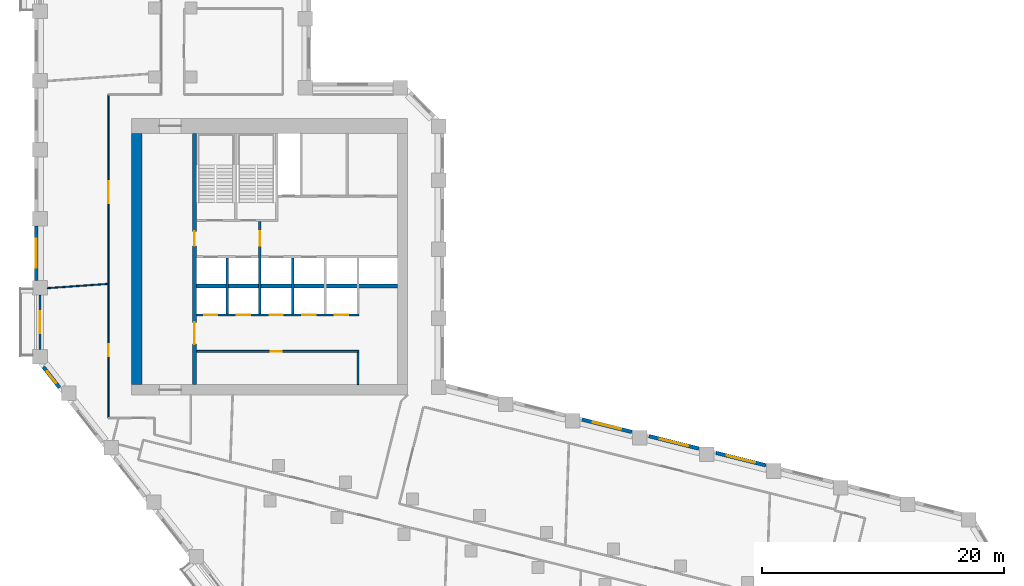
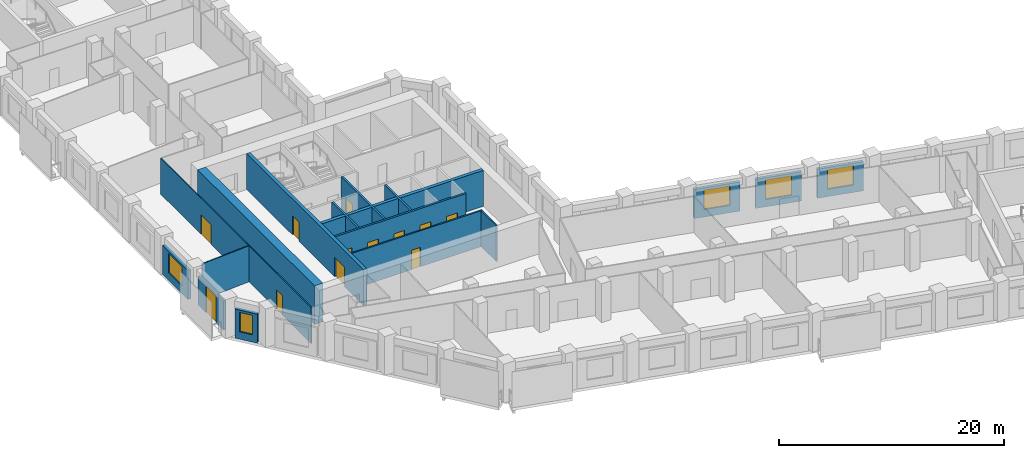
# One storey, part 4 of 10: 17 walls, 12 doors, 5 windows, 17 openings.
"""IFC4 building model written with IfcOpenShell, lengths in metres."""

from ifc_helpers import new_model, si_unit, direction, frame, frame_2d, origin, place, context, subcontext, project, spatial, rectangle, extrude, material, layer, layer_set, type_object, element, fill, save


model = new_model("IFC4")

# Units and contexts
model_context = context("Model", 3, precision=1e-05, world=origin(), true_north=direction((0.0, 1.0)))
body_context = subcontext(model_context, "Body", "Model", "MODEL_VIEW")
ifc_project = project(units=[si_unit("LENGTHUNIT", "METRE"), si_unit("AREAUNIT", "SQUARE_METRE"), si_unit("VOLUMEUNIT", "CUBIC_METRE"), si_unit("PLANEANGLEUNIT", "RADIAN"), si_unit("MASSUNIT", "GRAM", prefix="KILO")], contexts=[model_context])

# Site, building, storey
site_placement = place(None, origin())
site = spatial("IfcSite", under=ifc_project, at=site_placement, CompositionType="ELEMENT")
building_placement = place(site_placement, origin())
building = spatial("IfcBuilding", under=site, at=building_placement, Name="Meshkara Civic Tower", CompositionType="ELEMENT")
storey_placement = place(building_placement, frame((0.0, 0.0, 169.800048828125)))
storey = spatial("IfcBuildingStorey", under=building, at=storey_placement, Name="L38", CompositionType="ELEMENT", Elevation=169.800048828125)

# Wall, opening, door
ifc_material_1 = material(Name="Blockwork", Category="masonry")
ifc_layer_1 = layer(ifc_material_1, 0.14990234375)
ifc_layer_set_1 = layer_set([ifc_layer_1], Name="Core partition 150")
wall_type_1 = type_object("IfcWallType", Name="Core partition 150", PredefinedType="PARTITIONING", material=ifc_layer_set_1)
wall_1_placement = place(storey_placement, frame((13.3701171875, 17.699951171875, 0.0), z_axis=(0.0, 0.0, 1.0), x_axis=(1.0, 0.0, 0.0)))
wall_1 = element("IfcWall", 1, at=wall_1_placement, inside=storey, type_object=wall_type_1, Name="L38-C005", PredefinedType="PARTITIONING", context=body_context, shape_type="SweptSolid", body=[
    extrude(rectangle(XDim=13.40478515625, YDim=0.14990234375, at=frame_2d((6.702392578125, 0.0))), origin(), (0.0, 0.0, 1.0), 3.89990234375),
])
opening_1_placement = place(wall_1_placement, frame((6.1298828125, 0.0, 0.0)))
opening_1 = element("IfcOpeningElement", 2, at=opening_1_placement, cuts=wall_1, Name="Opening L38-K010", PredefinedType="OPENING", context=body_context, shape_type="SweptSolid", body=[
    extrude(rectangle(XDim=0.89990234375, YDim=2.10009765625, at=frame_2d((0.449951171875, 1.050048828125))), frame((0.0, 0.0849609375, 0.0), z_axis=(0.0, -1.0, 0.0), x_axis=(1.0, 0.0, 0.0)), (0.0, 0.0, 1.0), 0.169921875),
])
ifc_material_2 = material(Name="Timber door leaf in steel frame", Category="steel")
door_type_1 = type_object("IfcDoorType", Name="Core room door 900", OperationType="SINGLE_SWING_LEFT", PredefinedType="DOOR", material=ifc_material_2)
door_1_placement = place(opening_1_placement, origin())
door_1 = element("IfcDoor", 3, at=door_1_placement, inside=storey, type_object=door_type_1, Name="L38-K010", OperationType="SINGLE_SWING_LEFT", OverallHeight=2.10009765625, OverallWidth=0.89990234375, PredefinedType="DOOR", context=body_context, shape_type="SweptSolid", body=[
    extrude(rectangle(XDim=0.89990234375, YDim=2.10009765625, at=frame_2d((0.449951171875, 1.050048828125))), frame((0.0, 0.02490234375, 0.0), z_axis=(0.0, -1.0, 0.0), x_axis=(1.0, 0.0, 0.0)), (0.0, 0.0, 1.0), 0.050048828125),
])
fill(opening_1, door_1)

# Walls
wall_2_placement = place(storey_placement, frame((26.699951171875, 14.949951171875, 0.0), z_axis=(0.0, 0.0, 1.0), x_axis=(0.0, 1.0, 0.0)))
element("IfcWall", 4, at=wall_2_placement, inside=storey, type_object=wall_type_1, Name="L38-C020", PredefinedType="PARTITIONING", context=body_context, shape_type="SweptSolid", body=[
    extrude(rectangle(XDim=2.675048828125, YDim=0.14990234375, at=frame_2d((1.33740234375, 0.0))), origin(), (0.0, 0.0, 1.0), 3.89990234375),
])
ifc_material_3 = material(Name="Concrete C70", Category="concrete")
ifc_layer_2 = layer(ifc_material_3, 0.85009765625)
ifc_layer_set_2 = layer_set([ifc_layer_2], Name="Core ring wall 850 C70")
wall_type_2 = type_object("IfcWallType", Name="Core ring wall 850 C70", PredefinedType="SHEAR", material=ifc_layer_set_2)
wall_3_placement = place(storey_placement, frame((8.425048828125, 14.949951171875, -0.300048828125), z_axis=(0.0, 0.0, 1.0), x_axis=(0.0, 1.0, 0.0)))
element("IfcWall", 5, at=wall_3_placement, inside=storey, type_object=wall_type_2, Name="L38-C003", PredefinedType="SHEAR", context=body_context, shape_type="SweptSolid", body=[
    extrude(rectangle(XDim=20.75, YDim=0.85009765625, at=frame_2d((10.375, 0.0))), origin(), (0.0, 0.0, 1.0), 4.199951171875),
])
ifc_material_4 = material(Name="Concrete C70", Category="concrete")
ifc_layer_3 = layer(ifc_material_4, 0.340087890625)
ifc_layer_set_3 = layer_set([ifc_layer_3], Name="Core shear wall 340 C70")
wall_type_3 = type_object("IfcWallType", Name="Core shear wall 340 C70", PredefinedType="SHEAR", material=ifc_layer_set_3)
wall_4_placement = place(storey_placement, frame((13.3701171875, 23.10009765625, 0.0), z_axis=(0.0, 0.0, 1.0), x_axis=(1.0, 0.0, 0.0)))
element("IfcWall", 6, at=wall_4_placement, inside=storey, type_object=wall_type_3, Name="L38-C007", PredefinedType="SHEAR", context=body_context, shape_type="SweptSolid", body=[
    extrude(rectangle(XDim=16.579833984375, YDim=0.340087890625, at=frame_2d((8.2900390625, 0.0))), origin(), (0.0, 0.0, 1.0), 3.89990234375),
])

# Wall, openings, doors
wall_5_placement = place(storey_placement, frame((13.199951171875, 14.949951171875, 0.0), z_axis=(0.0, 0.0, 1.0), x_axis=(0.0, 1.0, 0.0)))
wall_5 = element("IfcWall", 7, at=wall_5_placement, inside=storey, type_object=wall_type_3, Name="L38-C011", PredefinedType="SHEAR", context=body_context, shape_type="SweptSolid", body=[
    extrude(rectangle(XDim=20.75, YDim=0.340087890625, at=frame_2d((10.375, 0.0))), origin(), (0.0, 0.0, 1.0), 3.89990234375),
])
opening_2_placement = place(wall_5_placement, frame((3.35009765625, 0.0, 0.0)))
opening_2 = element("IfcOpeningElement", 8, at=opening_2_placement, cuts=wall_5, Name="Opening L38-K016", PredefinedType="OPENING", context=body_context, shape_type="SweptSolid", body=[
    extrude(rectangle(XDim=1.800048828125, YDim=2.10009765625, at=frame_2d((0.89990234375, 1.050048828125))), frame((0.0, 0.179931640625, 0.0), z_axis=(0.0, -1.0, 0.0), x_axis=(1.0, 0.0, 0.0)), (0.0, 0.0, 1.0), 0.360107421875),
])
opening_3_placement = place(wall_5_placement, frame((11.449951171875, 0.0, 0.0)))
opening_3 = element("IfcOpeningElement", 9, at=opening_3_placement, cuts=wall_5, Name="Opening L38-K017", PredefinedType="OPENING", context=body_context, shape_type="SweptSolid", body=[
    extrude(rectangle(XDim=1.199951171875, YDim=2.10009765625, at=frame_2d((0.60009765625, 1.050048828125))), frame((0.0, 0.179931640625, 0.0), z_axis=(0.0, -1.0, 0.0), x_axis=(1.0, 0.0, 0.0)), (0.0, 0.0, 1.0), 0.360107421875),
])
ifc_material_5 = material(Name="Fire-rated door leaf in steel frame", Category="steel")
door_type_2 = type_object("IfcDoorType", Name="Core double door 1800 EI 60", OperationType="DOUBLE_DOOR_SINGLE_SWING", PredefinedType="DOOR", material=ifc_material_5)
door_2_placement = place(opening_2_placement, origin())
door_2 = element("IfcDoor", 10, at=door_2_placement, inside=storey, type_object=door_type_2, Name="L38-K016", OperationType="DOUBLE_DOOR_SINGLE_SWING", OverallHeight=2.10009765625, OverallWidth=1.800048828125, PredefinedType="DOOR", context=body_context, shape_type="SweptSolid", body=[
    extrude(rectangle(XDim=1.800048828125, YDim=2.10009765625, at=frame_2d((0.89990234375, 1.050048828125))), frame((0.0, 0.02490234375, 0.0), z_axis=(0.0, -1.0, 0.0), x_axis=(1.0, 0.0, 0.0)), (0.0, 0.0, 1.0), 0.050048828125),
])
fill(opening_2, door_2)
ifc_material_6 = material(Name="Fire-rated door leaf in steel frame", Category="steel")
door_type_3 = type_object("IfcDoorType", Name="Fire-fighting lobby door 1200 EI 120", OperationType="SINGLE_SWING_LEFT", PredefinedType="DOOR", material=ifc_material_6)
door_3_placement = place(opening_3_placement, origin())
door_3 = element("IfcDoor", 11, at=door_3_placement, inside=storey, type_object=door_type_3, Name="L38-K017", OperationType="SINGLE_SWING_LEFT", OverallHeight=2.10009765625, OverallWidth=1.199951171875, PredefinedType="DOOR", context=body_context, shape_type="SweptSolid", body=[
    extrude(rectangle(XDim=1.199951171875, YDim=2.10009765625, at=frame_2d((0.60009765625, 1.050048828125))), frame((0.0, 0.02490234375, 0.0), z_axis=(0.0, -1.0, 0.0), x_axis=(1.0, 0.0, 0.0)), (0.0, 0.0, 1.0), 0.050048828125),
])
fill(opening_3, door_3)

ifc_material_7 = material(Name="Corridor wall 100")
ifc_layer_4 = layer(ifc_material_7, 0.10009765625)
ifc_layer_set_4 = layer_set([ifc_layer_4], Name="Corridor wall 100")
wall_type_4 = type_object("IfcWallType", Name="Corridor wall 100", PredefinedType="PARTITIONING", material=ifc_layer_set_4)
wall_6_placement = place(storey_placement, frame((6.10009765625, 38.89990234375, 0.0), z_axis=(0.0, 0.0, 1.0), x_axis=(0.0, -1.0, 0.0)))
wall_6 = element("IfcWall", 12, at=wall_6_placement, inside=storey, type_object=wall_type_4, Name="L38-W005", PredefinedType="PARTITIONING", context=body_context, shape_type="SweptSolid", body=[
    extrude(rectangle(XDim=26.699951171875, YDim=0.10009765625, at=frame_2d((13.35009765625, 0.0))), origin(), (0.0, 0.0, 1.0), 3.89990234375),
])
opening_4_placement = place(wall_6_placement, frame((20.610107421875, 0.0, 0.0)))
opening_4 = element("IfcOpeningElement", 13, at=opening_4_placement, cuts=wall_6, Name="Opening L38-D014", PredefinedType="OPENING", context=body_context, shape_type="SweptSolid", body=[
    extrude(rectangle(XDim=1.0, YDim=2.10009765625, at=frame_2d((0.5, 1.050048828125))), frame((0.0, 0.06005859375, 0.0), z_axis=(0.0, -1.0, 0.0), x_axis=(1.0, 0.0, 0.0)), (0.0, 0.0, 1.0), 0.1201171875),
])
opening_5_placement = place(wall_6_placement, frame((7.179931640625, 0.0, 0.0)))
opening_5 = element("IfcOpeningElement", 14, at=opening_5_placement, cuts=wall_6, Name="Opening L38-D016", PredefinedType="OPENING", context=body_context, shape_type="SweptSolid", body=[
    extrude(rectangle(XDim=1.800048828125, YDim=2.10009765625, at=frame_2d((0.89990234375, 1.050048828125))), frame((0.0, 0.06005859375, 0.0), z_axis=(0.0, -1.0, 0.0), x_axis=(1.0, 0.0, 0.0)), (0.0, 0.0, 1.0), 0.1201171875),
])
ifc_material_8 = material(Name="Door 1000 x 2100")
door_type_4 = type_object("IfcDoorType", Name="Door 1000 x 2100", OperationType="SINGLE_SWING_LEFT", PredefinedType="DOOR", material=ifc_material_8)
door_4_placement = place(opening_4_placement, origin())
door_4 = element("IfcDoor", 15, at=door_4_placement, inside=storey, type_object=door_type_4, Name="L38-D014", OperationType="SINGLE_SWING_RIGHT", OverallHeight=2.10009765625, OverallWidth=1.0, PredefinedType="DOOR", context=body_context, shape_type="SweptSolid", body=[
    extrude(rectangle(XDim=1.0, YDim=2.10009765625, at=frame_2d((0.5, 1.050048828125))), frame((0.0, 0.02490234375, 0.0), z_axis=(0.0, -1.0, 0.0), x_axis=(1.0, 0.0, 0.0)), (0.0, 0.0, 1.0), 0.050048828125),
])
fill(opening_4, door_4)
ifc_material_9 = material(Name="Door pair 1800 x 2100")
door_type_5 = type_object("IfcDoorType", Name="Door pair 1800 x 2100", OperationType="SINGLE_SWING_LEFT", PredefinedType="DOOR", material=ifc_material_9)
door_5_placement = place(opening_5_placement, origin())
door_5 = element("IfcDoor", 16, at=door_5_placement, inside=storey, type_object=door_type_5, Name="L38-D016", OperationType="DOUBLE_DOOR_SINGLE_SWING", OverallHeight=2.10009765625, OverallWidth=1.800048828125, PredefinedType="DOOR", context=body_context, shape_type="SweptSolid", body=[
    extrude(rectangle(XDim=1.800048828125, YDim=2.10009765625, at=frame_2d((0.89990234375, 1.050048828125))), frame((0.0, 0.02490234375, 0.0), z_axis=(0.0, -1.0, 0.0), x_axis=(1.0, 0.0, 0.0)), (0.0, 0.0, 1.0), 0.050048828125),
])
fill(opening_5, door_5)

# Wall, opening, window
ifc_material_10 = material(Name="Insulated infill panel with bronze anodised aluminium cladding", Category="aluminium")
ifc_layer_5 = layer(ifc_material_10, 0.300048828125)
ifc_layer_set_5 = layer_set([ifc_layer_5], Name="EXTERNAL INFILL WALL 300")
wall_type_5 = type_object("IfcWallType", Name="EXTERNAL INFILL WALL 300", PredefinedType="SOLIDWALL", material=ifc_layer_set_5)
wall_7_placement = place(storey_placement, frame((60.3701171875, 8.291015625, 0.0), z_axis=(0.0, 0.0, 1.0), x_axis=(-0.970291164166, 0.241940192487, 0.0)))
wall_7 = element("IfcWall", 17, at=wall_7_placement, inside=storey, type_object=wall_type_5, Name="External wall", PredefinedType="SOLIDWALL", context=body_context, shape_type="SweptSolid", body=[
    extrude(rectangle(XDim=4.245361328125, YDim=0.300048828125, at=frame_2d((2.12255859375, 0.0))), origin(), (0.0, 0.0, 1.0), 3.14990234375),
])
opening_6_placement = place(wall_7_placement, frame((0.922119140625, 0.0, 0.800048828125)))
opening_6 = element("IfcOpeningElement", 18, at=opening_6_placement, cuts=wall_7, Name="Opening W7", PredefinedType="OPENING", context=body_context, shape_type="SweptSolid", body=[
    extrude(rectangle(XDim=2.39990234375, YDim=2.10009765625, at=frame_2d((1.199951171875, 1.050048828125))), frame((0.0, 0.159912109375, 0.0), z_axis=(0.0, -1.0, 0.0), x_axis=(1.0, 0.0, 0.0)), (0.0, 0.0, 1.0), 0.320068359375),
])
ifc_material_11 = material(Name="Tinted double glazing", Category="glass")
window_type_1 = type_object("IfcWindowType", Name="WINDOW 2400x2100", PartitioningType="DOUBLE_PANEL_VERTICAL", PredefinedType="WINDOW", material=ifc_material_11)
window_1_placement = place(opening_6_placement, origin())
window_1 = element("IfcWindow", 19, at=window_1_placement, inside=storey, type_object=window_type_1, Name="Window", OverallHeight=2.10009765625, OverallWidth=2.39990234375, PartitioningType="DOUBLE_PANEL_VERTICAL", PredefinedType="WINDOW", context=body_context, shape_type="SweptSolid", body=[
    extrude(rectangle(XDim=2.39990234375, YDim=2.10009765625, at=frame_2d((1.199951171875, 1.050048828125))), frame((0.0, 0.030029296875, 0.0), z_axis=(0.0, -1.0, 0.0), x_axis=(1.0, 0.0, 0.0)), (0.0, 0.0, 1.0), 0.06005859375),
])
fill(opening_6, window_1)

wall_8_placement = place(storey_placement, frame((54.840087890625, 9.669921875, 0.0), z_axis=(0.0, 0.0, 1.0), x_axis=(-0.97030462482, 0.241886202691, 0.0)))
wall_8 = element("IfcWall", 20, at=wall_8_placement, inside=storey, type_object=wall_type_5, Name="External wall", PredefinedType="SOLIDWALL", context=body_context, shape_type="SweptSolid", body=[
    extrude(rectangle(XDim=4.24609375, YDim=0.300048828125, at=frame_2d((2.123046875, 0.0))), origin(), (0.0, 0.0, 1.0), 3.14990234375),
])
opening_7_placement = place(wall_8_placement, frame((0.923095703125, 0.0, 0.800048828125)))
opening_7 = element("IfcOpeningElement", 21, at=opening_7_placement, cuts=wall_8, Name="Opening W7", PredefinedType="OPENING", context=body_context, shape_type="SweptSolid", body=[
    extrude(rectangle(XDim=2.39990234375, YDim=2.10009765625, at=frame_2d((1.199951171875, 1.050048828125))), frame((0.0, 0.159912109375, 0.0), z_axis=(0.0, -1.0, 0.0), x_axis=(1.0, 0.0, 0.0)), (0.0, 0.0, 1.0), 0.320068359375),
])
window_2_placement = place(opening_7_placement, origin())
window_2 = element("IfcWindow", 22, at=window_2_placement, inside=storey, type_object=window_type_1, Name="Window", OverallHeight=2.10009765625, OverallWidth=2.39990234375, PartitioningType="DOUBLE_PANEL_VERTICAL", PredefinedType="WINDOW", context=body_context, shape_type="SweptSolid", body=[
    extrude(rectangle(XDim=2.39990234375, YDim=2.10009765625, at=frame_2d((1.199951171875, 1.050048828125))), frame((0.0, 0.030029296875, 0.0), z_axis=(0.0, -1.0, 0.0), x_axis=(1.0, 0.0, 0.0)), (0.0, 0.0, 1.0), 0.06005859375),
])
fill(opening_7, window_2)

wall_9_placement = place(storey_placement, frame((49.30908203125, 11.049072265625, 0.0), z_axis=(0.0, 0.0, 1.0), x_axis=(-0.970264129329, 0.242048588793, 0.0)))
wall_9 = element("IfcWall", 23, at=wall_9_placement, inside=storey, type_object=wall_type_5, Name="External wall", PredefinedType="SOLIDWALL", context=body_context, shape_type="SweptSolid", body=[
    extrude(rectangle(XDim=4.246337890625, YDim=0.300048828125, at=frame_2d((2.123046875, 0.0))), origin(), (0.0, 0.0, 1.0), 3.14990234375),
])
opening_8_placement = place(wall_9_placement, frame((0.923095703125, 0.0, 0.800048828125)))
opening_8 = element("IfcOpeningElement", 24, at=opening_8_placement, cuts=wall_9, Name="Opening W7", PredefinedType="OPENING", context=body_context, shape_type="SweptSolid", body=[
    extrude(rectangle(XDim=2.39990234375, YDim=2.10009765625, at=frame_2d((1.199951171875, 1.050048828125))), frame((0.0, 0.159912109375, 0.0), z_axis=(0.0, -1.0, 0.0), x_axis=(1.0, 0.0, 0.0)), (0.0, 0.0, 1.0), 0.320068359375),
])
window_3_placement = place(opening_8_placement, origin())
window_3 = element("IfcWindow", 25, at=window_3_placement, inside=storey, type_object=window_type_1, Name="Window", OverallHeight=2.10009765625, OverallWidth=2.39990234375, PartitioningType="DOUBLE_PANEL_VERTICAL", PredefinedType="WINDOW", context=body_context, shape_type="SweptSolid", body=[
    extrude(rectangle(XDim=2.39990234375, YDim=2.10009765625, at=frame_2d((1.199951171875, 1.050048828125))), frame((0.0, 0.030029296875, 0.0), z_axis=(0.0, -1.0, 0.0), x_axis=(1.0, 0.0, 0.0)), (0.0, 0.0, 1.0), 0.06005859375),
])
fill(opening_8, window_3)

wall_10_placement = place(storey_placement, frame((0.14990234375, 28.054931640625, 0.0), z_axis=(0.0, 0.0, 1.0), x_axis=(0.0, -1.0, 0.0)))
wall_10 = element("IfcWall", 26, at=wall_10_placement, inside=storey, type_object=wall_type_5, Name="External wall", PredefinedType="SOLIDWALL", context=body_context, shape_type="SweptSolid", body=[
    extrude(rectangle(XDim=4.5, YDim=0.300048828125, at=frame_2d((2.25, 0.0))), origin(), (0.0, 0.0, 1.0), 3.14990234375),
])
opening_9_placement = place(wall_10_placement, frame((1.050048828125, 0.0, 0.800048828125)))
opening_9 = element("IfcOpeningElement", 27, at=opening_9_placement, cuts=wall_10, Name="Opening W7", PredefinedType="OPENING", context=body_context, shape_type="SweptSolid", body=[
    extrude(rectangle(XDim=2.39990234375, YDim=2.10009765625, at=frame_2d((1.199951171875, 1.050048828125))), frame((0.0, 0.159912109375, 0.0), z_axis=(0.0, -1.0, 0.0), x_axis=(1.0, 0.0, 0.0)), (0.0, 0.0, 1.0), 0.320068359375),
])
window_4_placement = place(opening_9_placement, origin())
window_4 = element("IfcWindow", 28, at=window_4_placement, inside=storey, type_object=window_type_1, Name="Window", OverallHeight=2.10009765625, OverallWidth=2.39990234375, PartitioningType="DOUBLE_PANEL_VERTICAL", PredefinedType="WINDOW", context=body_context, shape_type="SweptSolid", body=[
    extrude(rectangle(XDim=2.39990234375, YDim=2.10009765625, at=frame_2d((1.199951171875, 1.050048828125))), frame((0.0, 0.030029296875, 0.0), z_axis=(0.0, -1.0, 0.0), x_axis=(1.0, 0.0, 0.0)), (0.0, 0.0, 1.0), 0.06005859375),
])
fill(opening_9, window_4)

wall_11_placement = place(storey_placement, frame((0.73193359375, 16.406982421875, 0.0), z_axis=(0.0, 0.0, 1.0), x_axis=(0.615593496459, -0.788063859797, 0.0)))
wall_11 = element("IfcWall", 29, at=wall_11_placement, inside=storey, type_object=wall_type_5, Name="External wall", PredefinedType="SOLIDWALL", context=body_context, shape_type="SweptSolid", body=[
    extrude(rectangle(XDim=2.156005859375, YDim=0.300048828125, at=frame_2d((1.078125, 0.0))), origin(), (0.0, 0.0, 1.0), 3.14990234375),
])
opening_10_placement = place(wall_11_placement, frame((0.47802734375, 0.0, 0.800048828125)))
opening_10 = element("IfcOpeningElement", 30, at=opening_10_placement, cuts=wall_11, Name="Opening W3", PredefinedType="OPENING", context=body_context, shape_type="SweptSolid", body=[
    extrude(rectangle(XDim=1.199951171875, YDim=2.10009765625, at=frame_2d((0.60009765625, 1.050048828125))), frame((0.0, 0.159912109375, 0.0), z_axis=(0.0, -1.0, 0.0), x_axis=(1.0, 0.0, 0.0)), (0.0, 0.0, 1.0), 0.320068359375),
])
ifc_material_12 = material(Name="Tinted double glazing", Category="glass")
window_type_2 = type_object("IfcWindowType", Name="WINDOW 1200x2100", PartitioningType="SINGLE_PANEL", PredefinedType="WINDOW", material=ifc_material_12)
window_5_placement = place(opening_10_placement, origin())
window_5 = element("IfcWindow", 31, at=window_5_placement, inside=storey, type_object=window_type_2, Name="Window", OverallHeight=2.10009765625, OverallWidth=1.199951171875, PartitioningType="SINGLE_PANEL", PredefinedType="WINDOW", context=body_context, shape_type="SweptSolid", body=[
    extrude(rectangle(XDim=1.199951171875, YDim=2.10009765625, at=frame_2d((0.60009765625, 1.050048828125))), frame((0.0, 0.030029296875, 0.0), z_axis=(0.0, -1.0, 0.0), x_axis=(1.0, 0.0, 0.0)), (0.0, 0.0, 1.0), 0.06005859375),
])
fill(opening_10, window_5)

# Wall, opening, door
ifc_material_13 = material(Name="Insulated infill panel with bronze anodised aluminium cladding", Category="aluminium")
ifc_layer_6 = layer(ifc_material_13, 0.199951171875)
ifc_layer_set_6 = layer_set([ifc_layer_6], Name="LOGGIA BACK WALL 200")
wall_type_6 = type_object("IfcWallType", Name="LOGGIA BACK WALL 200", PredefinedType="SOLIDWALL", material=ifc_layer_set_6)
wall_12_placement = place(storey_placement, frame((0.449951171875, 22.35400390625, 0.0), z_axis=(0.0, 0.0, 1.0), x_axis=(0.0, -1.0, 0.0)))
wall_12 = element("IfcWall", 32, at=wall_12_placement, inside=storey, type_object=wall_type_6, Name="Loggia wall", PredefinedType="SOLIDWALL", context=body_context, shape_type="SweptSolid", body=[
    extrude(rectangle(XDim=4.4990234375, YDim=0.199951171875, at=frame_2d((2.24951171875, 0.0))), origin(), (0.0, 0.0, 1.0), 3.14990234375),
])
opening_11_placement = place(wall_12_placement, frame((1.34912109375, 0.0, 0.0)))
opening_11 = element("IfcOpeningElement", 33, at=opening_11_placement, cuts=wall_12, Name="Opening L38-L002", PredefinedType="OPENING", context=body_context, shape_type="SweptSolid", body=[
    extrude(rectangle(XDim=1.800048828125, YDim=2.89990234375, at=frame_2d((0.89990234375, 1.449951171875))), frame((0.0, 0.10986328125, 0.0), z_axis=(0.0, -1.0, 0.0), x_axis=(1.0, 0.0, 0.0)), (0.0, 0.0, 1.0), 0.219970703125),
])
ifc_material_14 = material(Name="Tinted double glazing", Category="glass")
door_type_6 = type_object("IfcDoorType", Name="LOGGIA DOOR 1800x2900", OperationType="DOUBLE_DOOR_SINGLE_SWING", PredefinedType="DOOR", material=ifc_material_14)
door_6_placement = place(opening_11_placement, origin())
door_6 = element("IfcDoor", 34, at=door_6_placement, inside=storey, type_object=door_type_6, Name="L38-L002", OperationType="DOUBLE_DOOR_SINGLE_SWING", OverallHeight=2.89990234375, OverallWidth=1.800048828125, PredefinedType="DOOR", context=body_context, shape_type="SweptSolid", body=[
    extrude(rectangle(XDim=1.800048828125, YDim=2.89990234375, at=frame_2d((0.89990234375, 1.449951171875))), frame((0.0, 0.02490234375, 0.0), z_axis=(0.0, -1.0, 0.0), x_axis=(1.0, 0.0, 0.0)), (0.0, 0.0, 1.0), 0.050048828125),
])
fill(opening_11, door_6)

# Wall
ifc_material_15 = material(Name="Partition 100")
ifc_layer_7 = layer(ifc_material_15, 0.10009765625)
ifc_layer_set_7 = layer_set([ifc_layer_7], Name="Partition 100")
wall_type_7 = type_object("IfcWallType", Name="Partition 100", PredefinedType="PARTITIONING", material=ifc_layer_set_7)
wall_13_placement = place(storey_placement, frame((6.047119140625, 23.26611328125, 0.0), z_axis=(0.0, 0.0, 1.0), x_axis=(-0.99755475556, -0.069889267123, 0.0)))
element("IfcWall", 35, at=wall_13_placement, inside=storey, type_object=wall_type_7, Name="L38-W041", PredefinedType="PARTITIONING", context=body_context, shape_type="SweptSolid", body=[
    extrude(rectangle(XDim=5.00927734375, YDim=0.10009765625, at=frame_2d((2.504638671875, 0.0))), origin(), (0.0, 0.0, 1.0), 3.89990234375),
])

# Wall, openings, doors
ifc_material_16 = material(Name="Concrete C40/50", Category="concrete")
ifc_layer_8 = layer(ifc_material_16, 0.199951171875)
ifc_layer_set_8 = layer_set([ifc_layer_8], Name="Shaft wall 200 C40/50")
wall_type_8 = type_object("IfcWallType", Name="Shaft wall 200 C40/50", PredefinedType="SOLIDWALL", material=ifc_layer_set_8)
wall_14_placement = place(storey_placement, frame((13.3701171875, 20.699951171875, 0.0), z_axis=(0.0, 0.0, 1.0), x_axis=(1.0, 0.0, 0.0)))
wall_14 = element("IfcWall", 36, at=wall_14_placement, inside=storey, type_object=wall_type_8, Name="L38-C006", PredefinedType="SOLIDWALL", context=body_context, shape_type="SweptSolid", body=[
    extrude(rectangle(XDim=13.429931640625, YDim=0.199951171875, at=frame_2d((6.71484375, 0.0))), origin(), (0.0, 0.0, 1.0), 3.89990234375),
])
opening_12_placement = place(wall_14_placement, frame((0.6298828125, 0.0, 0.0)))
opening_12 = element("IfcOpeningElement", 37, at=opening_12_placement, cuts=wall_14, Name="Opening L38-K001", PredefinedType="OPENING", context=body_context, shape_type="SweptSolid", body=[
    extrude(rectangle(XDim=1.10009765625, YDim=2.10009765625, at=frame_2d((0.550048828125, 1.050048828125))), frame((0.0, 0.10986328125, 0.0), z_axis=(0.0, -1.0, 0.0), x_axis=(1.0, 0.0, 0.0)), (0.0, 0.0, 1.0), 0.219970703125),
])
opening_13_placement = place(wall_14_placement, frame((3.330078125, 0.0, 0.0)))
opening_13 = element("IfcOpeningElement", 38, at=opening_13_placement, cuts=wall_14, Name="Opening L38-K002", PredefinedType="OPENING", context=body_context, shape_type="SweptSolid", body=[
    extrude(rectangle(XDim=1.10009765625, YDim=2.10009765625, at=frame_2d((0.550048828125, 1.050048828125))), frame((0.0, 0.10986328125, 0.0), z_axis=(0.0, -1.0, 0.0), x_axis=(1.0, 0.0, 0.0)), (0.0, 0.0, 1.0), 0.219970703125),
])
opening_14_placement = place(wall_14_placement, frame((6.030029296875, 0.0, 0.0)))
opening_14 = element("IfcOpeningElement", 39, at=opening_14_placement, cuts=wall_14, Name="Opening L38-K003", PredefinedType="OPENING", context=body_context, shape_type="SweptSolid", body=[
    extrude(rectangle(XDim=1.10009765625, YDim=2.10009765625, at=frame_2d((0.550048828125, 1.050048828125))), frame((0.0, 0.10986328125, 0.0), z_axis=(0.0, -1.0, 0.0), x_axis=(1.0, 0.0, 0.0)), (0.0, 0.0, 1.0), 0.219970703125),
])
opening_15_placement = place(wall_14_placement, frame((8.72998046875, 0.0, 0.0)))
opening_15 = element("IfcOpeningElement", 40, at=opening_15_placement, cuts=wall_14, Name="Opening L38-K004", PredefinedType="OPENING", context=body_context, shape_type="SweptSolid", body=[
    extrude(rectangle(XDim=1.10009765625, YDim=2.10009765625, at=frame_2d((0.550048828125, 1.050048828125))), frame((0.0, 0.10986328125, 0.0), z_axis=(0.0, -1.0, 0.0), x_axis=(1.0, 0.0, 0.0)), (0.0, 0.0, 1.0), 0.219970703125),
])
opening_16_placement = place(wall_14_placement, frame((11.429931640625, 0.0, 0.0)))
opening_16 = element("IfcOpeningElement", 41, at=opening_16_placement, cuts=wall_14, Name="Opening L38-K005", PredefinedType="OPENING", context=body_context, shape_type="SweptSolid", body=[
    extrude(rectangle(XDim=1.10009765625, YDim=2.10009765625, at=frame_2d((0.550048828125, 1.050048828125))), frame((0.0, 0.10986328125, 0.0), z_axis=(0.0, -1.0, 0.0), x_axis=(1.0, 0.0, 0.0)), (0.0, 0.0, 1.0), 0.219970703125),
])
ifc_material_17 = material(Name="Stainless steel landing door", Category="steel")
door_type_7 = type_object("IfcDoorType", Name="Lift landing door 1100", OperationType="SLIDING_TO_LEFT", PredefinedType="DOOR", material=ifc_material_17)
door_7_placement = place(opening_12_placement, origin())
door_7 = element("IfcDoor", 42, at=door_7_placement, inside=storey, type_object=door_type_7, Name="L38-K001", OperationType="SLIDING_TO_LEFT", OverallHeight=2.10009765625, OverallWidth=1.10009765625, PredefinedType="DOOR", context=body_context, shape_type="SweptSolid", body=[
    extrude(rectangle(XDim=1.10009765625, YDim=2.10009765625, at=frame_2d((0.550048828125, 1.050048828125))), frame((0.0, 0.02490234375, 0.0), z_axis=(0.0, -1.0, 0.0), x_axis=(1.0, 0.0, 0.0)), (0.0, 0.0, 1.0), 0.050048828125),
])
fill(opening_12, door_7)
door_8_placement = place(opening_13_placement, origin())
door_8 = element("IfcDoor", 43, at=door_8_placement, inside=storey, type_object=door_type_7, Name="L38-K002", OperationType="SLIDING_TO_LEFT", OverallHeight=2.10009765625, OverallWidth=1.10009765625, PredefinedType="DOOR", context=body_context, shape_type="SweptSolid", body=[
    extrude(rectangle(XDim=1.10009765625, YDim=2.10009765625, at=frame_2d((0.550048828125, 1.050048828125))), frame((0.0, 0.02490234375, 0.0), z_axis=(0.0, -1.0, 0.0), x_axis=(1.0, 0.0, 0.0)), (0.0, 0.0, 1.0), 0.050048828125),
])
fill(opening_13, door_8)
door_9_placement = place(opening_14_placement, origin())
door_9 = element("IfcDoor", 44, at=door_9_placement, inside=storey, type_object=door_type_7, Name="L38-K003", OperationType="SLIDING_TO_LEFT", OverallHeight=2.10009765625, OverallWidth=1.10009765625, PredefinedType="DOOR", context=body_context, shape_type="SweptSolid", body=[
    extrude(rectangle(XDim=1.10009765625, YDim=2.10009765625, at=frame_2d((0.550048828125, 1.050048828125))), frame((0.0, 0.02490234375, 0.0), z_axis=(0.0, -1.0, 0.0), x_axis=(1.0, 0.0, 0.0)), (0.0, 0.0, 1.0), 0.050048828125),
])
fill(opening_14, door_9)
door_10_placement = place(opening_15_placement, origin())
door_10 = element("IfcDoor", 45, at=door_10_placement, inside=storey, type_object=door_type_7, Name="L38-K004", OperationType="SLIDING_TO_LEFT", OverallHeight=2.10009765625, OverallWidth=1.10009765625, PredefinedType="DOOR", context=body_context, shape_type="SweptSolid", body=[
    extrude(rectangle(XDim=1.10009765625, YDim=2.10009765625, at=frame_2d((0.550048828125, 1.050048828125))), frame((0.0, 0.02490234375, 0.0), z_axis=(0.0, -1.0, 0.0), x_axis=(1.0, 0.0, 0.0)), (0.0, 0.0, 1.0), 0.050048828125),
])
fill(opening_15, door_10)
door_11_placement = place(opening_16_placement, origin())
door_11 = element("IfcDoor", 46, at=door_11_placement, inside=storey, type_object=door_type_7, Name="L38-K005", OperationType="SLIDING_TO_LEFT", OverallHeight=2.10009765625, OverallWidth=1.10009765625, PredefinedType="DOOR", context=body_context, shape_type="SweptSolid", body=[
    extrude(rectangle(XDim=1.10009765625, YDim=2.10009765625, at=frame_2d((0.550048828125, 1.050048828125))), frame((0.0, 0.02490234375, 0.0), z_axis=(0.0, -1.0, 0.0), x_axis=(1.0, 0.0, 0.0)), (0.0, 0.0, 1.0), 0.050048828125),
])
fill(opening_16, door_11)

# Wall
wall_15_placement = place(storey_placement, frame((15.89990234375, 20.800048828125, 0.0), z_axis=(0.0, 0.0, 1.0), x_axis=(0.0, 1.0, 0.0)))
element("IfcWall", 47, at=wall_15_placement, inside=storey, type_object=wall_type_8, Name="L38-C012", PredefinedType="SOLIDWALL", context=body_context, shape_type="SweptSolid", body=[
    extrude(rectangle(XDim=4.599853515625, YDim=0.199951171875, at=frame_2d((2.2998046875, 0.0))), origin(), (0.0, 0.0, 1.0), 3.89990234375),
])

# Wall, opening, door
wall_16_placement = place(storey_placement, frame((18.60009765625, 20.800048828125, 0.0), z_axis=(0.0, 0.0, 1.0), x_axis=(0.0, 1.0, 0.0)))
wall_16 = element("IfcWall", 48, at=wall_16_placement, inside=storey, type_object=wall_type_8, Name="L38-C014", PredefinedType="SOLIDWALL", context=body_context, shape_type="SweptSolid", body=[
    extrude(rectangle(XDim=7.599853515625, YDim=0.199951171875, at=frame_2d((3.7998046875, 0.0))), origin(), (0.0, 0.0, 1.0), 3.89990234375),
])
opening_17_placement = place(wall_16_placement, frame((5.60009765625, 0.0, 0.0)))
opening_17 = element("IfcOpeningElement", 49, at=opening_17_placement, cuts=wall_16, Name="Opening L38-K018", PredefinedType="OPENING", context=body_context, shape_type="SweptSolid", body=[
    extrude(rectangle(XDim=1.199951171875, YDim=2.10009765625, at=frame_2d((0.60009765625, 1.050048828125))), frame((0.0, 0.10986328125, 0.0), z_axis=(0.0, -1.0, 0.0), x_axis=(1.0, 0.0, 0.0)), (0.0, 0.0, 1.0), 0.219970703125),
])
door_12_placement = place(opening_17_placement, origin())
door_12 = element("IfcDoor", 50, at=door_12_placement, inside=storey, type_object=door_type_3, Name="L38-K018", OperationType="SINGLE_SWING_RIGHT", OverallHeight=2.10009765625, OverallWidth=1.199951171875, PredefinedType="DOOR", context=body_context, shape_type="SweptSolid", body=[
    extrude(rectangle(XDim=1.199951171875, YDim=2.10009765625, at=frame_2d((0.60009765625, 1.050048828125))), frame((0.0, 0.02490234375, 0.0), z_axis=(0.0, -1.0, 0.0), x_axis=(1.0, 0.0, 0.0)), (0.0, 0.0, 1.0), 0.050048828125),
])
fill(opening_17, door_12)

# Wall
wall_17_placement = place(storey_placement, frame((21.300048828125, 20.800048828125, 0.0), z_axis=(0.0, 0.0, 1.0), x_axis=(0.0, 1.0, 0.0)))
element("IfcWall", 51, at=wall_17_placement, inside=storey, type_object=wall_type_8, Name="L38-C016", PredefinedType="SOLIDWALL", context=body_context, shape_type="SweptSolid", body=[
    extrude(rectangle(XDim=4.599853515625, YDim=0.199951171875, at=frame_2d((2.2998046875, 0.0))), origin(), (0.0, 0.0, 1.0), 3.89990234375),
])

save(model, "model.ifc")
